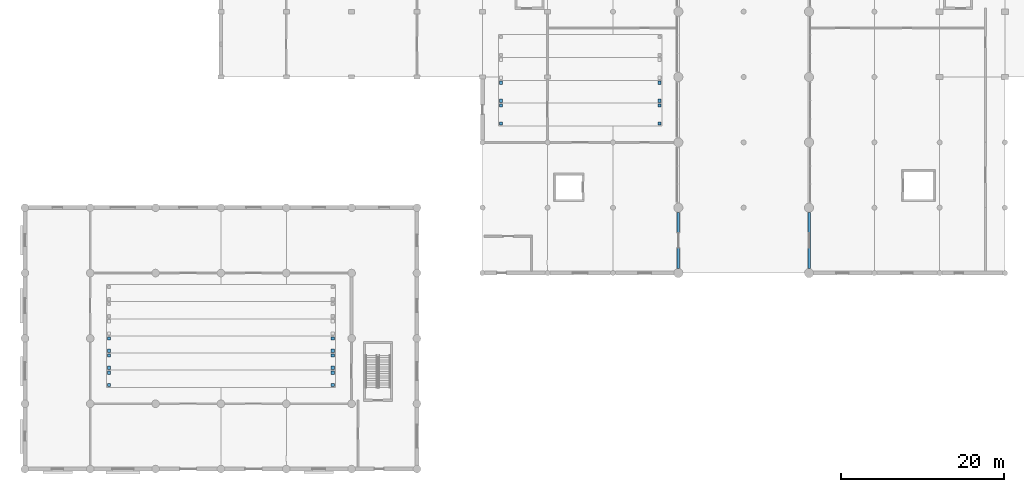
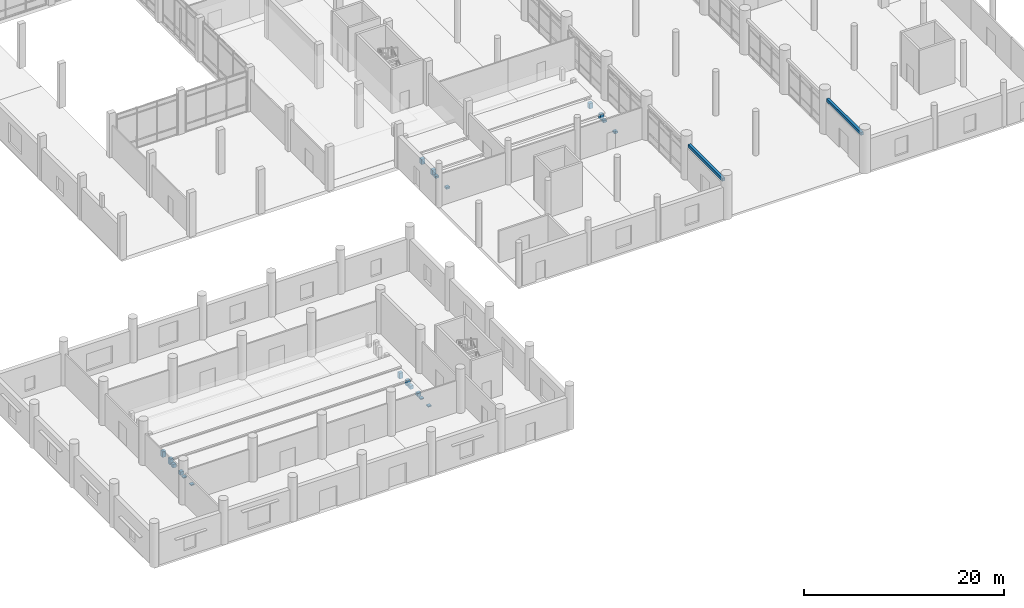
# One storey, part 4 of 42: 20 columns, 2 beams.
"""IFC4 building model written with IfcOpenShell, lengths in metres."""

from ifc_helpers import new_model, si_unit, direction, frame, origin, origin_2d, place, context, subcontext, project, spatial, rectangle, extrude, material, material_profile, profile_set, type_object, element, save


model = new_model("IFC4")

# Units and contexts
model_context = context("Model", 3, precision=1e-05, world=origin(), true_north=direction((0.0, 1.0)))
body_context = subcontext(model_context, "Body", "Model", "MODEL_VIEW")
ifc_project = project(units=[si_unit("LENGTHUNIT", "METRE"), si_unit("AREAUNIT", "SQUARE_METRE"), si_unit("VOLUMEUNIT", "CUBIC_METRE"), si_unit("PLANEANGLEUNIT", "RADIAN"), si_unit("MASSUNIT", "GRAM", prefix="KILO")], contexts=[model_context])

# Site, building, storey
site_placement = place(None, origin())
site = spatial("IfcSite", under=ifc_project, at=site_placement, CompositionType="ELEMENT")
building_placement = place(site_placement, origin())
building = spatial("IfcBuilding", under=site, at=building_placement, Name="Pecanmere Concourse Central Library", CompositionType="ELEMENT")
storey_placement = place(building_placement, origin())
storey = spatial("IfcBuildingStorey", under=building, at=storey_placement, Name="L01", CompositionType="ELEMENT", Elevation=0.0)

# Columns
ifc_material_1 = material(Name="Concrete C40/50", Category="concrete")
ifc_material_profile_1 = material_profile(ifc_material_1, rectangle(XDim=0.39990234375, YDim=0.39990234375, at=origin_2d()), Name="RC 400x400")
ifc_profile_set_1 = profile_set([ifc_material_profile_1], Name="Concrete C40/50")
column_type = type_object("IfcColumnType", Name="COL_RC_400x400", PredefinedType="COLUMN", material=ifc_profile_set_1)
for number, where, z_axis, x_axis, name in (
    (1, (10.300048828125, 10.300048828125, 0.0), (0.0, 0.0, 1.0), (1.0, 0.0, 0.0), "Auditorium Tier Support Pier 1-1"),
    (2, (37.699951171875, 10.300048828125, 0.0), (0.0, 0.0, 1.0), (1.0, 0.0, 0.0), "Auditorium Tier Support Pier 1-2"),
    (3, (37.699951171875, 11.800048828125, 0.0), (0.0, 0.0, 1.0), (1.0, 0.0, 0.0), "Auditorium Tier Support Pier 1-3"),
    (4, (10.300048828125, 11.800048828125, 0.0), (0.0, 0.0, 1.0), (1.0, 0.0, 0.0), "Auditorium Tier Support Pier 1-4"),
):
    element("IfcColumn", number, at=place(storey_placement, frame(where, z_axis=z_axis, x_axis=x_axis)), inside=storey, type_object=column_type, Name=name, PredefinedType="COLUMN", context=body_context, shape_type="SweptSolid", body=[
        extrude(rectangle(XDim=0.39990234375, YDim=0.39990234375, at=origin_2d()), origin(), (0.0, 0.0, 1.0), 0.1201171875),
    ])
for number, where, z_axis, x_axis, name in (
    (5, (10.300048828125, 12.39990234375, 0.0), (0.0, 0.0, 1.0), (1.0, 0.0, 0.0), "Auditorium Tier Support Pier 2-1"),
    (6, (37.699951171875, 12.39990234375, 0.0), (0.0, 0.0, 1.0), (1.0, 0.0, 0.0), "Auditorium Tier Support Pier 2-2"),
    (7, (37.699951171875, 13.89990234375, 0.0), (0.0, 0.0, 1.0), (1.0, 0.0, 0.0), "Auditorium Tier Support Pier 2-3"),
    (8, (10.300048828125, 13.89990234375, 0.0), (0.0, 0.0, 1.0), (1.0, 0.0, 0.0), "Auditorium Tier Support Pier 2-4"),
):
    element("IfcColumn", number, at=place(storey_placement, frame(where, z_axis=z_axis, x_axis=x_axis)), inside=storey, type_object=column_type, Name=name, PredefinedType="COLUMN", context=body_context, shape_type="SweptSolid", body=[
        extrude(rectangle(XDim=0.39990234375, YDim=0.39990234375, at=origin_2d()), origin(), (0.0, 0.0, 1.0), 0.409912109375),
    ])
for number, where, z_axis, x_axis, name in (
    (9, (10.300048828125, 14.5, 0.0), (0.0, 0.0, 1.0), (1.0, 0.0, 0.0), "Auditorium Tier Support Pier 3-1"),
    (10, (37.699951171875, 14.5, 0.0), (0.0, 0.0, 1.0), (1.0, 0.0, 0.0), "Auditorium Tier Support Pier 3-2"),
    (11, (37.699951171875, 16.0, 0.0), (0.0, 0.0, 1.0), (1.0, 0.0, 0.0), "Auditorium Tier Support Pier 3-3"),
    (12, (10.300048828125, 16.0, 0.0), (0.0, 0.0, 1.0), (1.0, 0.0, 0.0), "Auditorium Tier Support Pier 3-4"),
):
    element("IfcColumn", number, at=place(storey_placement, frame(where, z_axis=z_axis, x_axis=x_axis)), inside=storey, type_object=column_type, Name=name, PredefinedType="COLUMN", context=body_context, shape_type="SweptSolid", body=[
        extrude(rectangle(XDim=0.39990234375, YDim=0.39990234375, at=origin_2d()), origin(), (0.0, 0.0, 1.0), 0.699951171875),
    ])
for number, where, z_axis, x_axis, name in (
    (13, (58.300048828125, 42.300048828125, 0.0), (0.0, 0.0, 1.0), (1.0, 0.0, 0.0), "Lecture Tier Support Pier 1-1"),
    (14, (77.699951171875, 42.300048828125, 0.0), (0.0, 0.0, 1.0), (1.0, 0.0, 0.0), "Lecture Tier Support Pier 1-2"),
    (15, (77.699951171875, 44.5, 0.0), (0.0, 0.0, 1.0), (1.0, 0.0, 0.0), "Lecture Tier Support Pier 1-3"),
    (16, (58.300048828125, 44.5, 0.0), (0.0, 0.0, 1.0), (1.0, 0.0, 0.0), "Lecture Tier Support Pier 1-4"),
):
    element("IfcColumn", number, at=place(storey_placement, frame(where, z_axis=z_axis, x_axis=x_axis)), inside=storey, type_object=column_type, Name=name, PredefinedType="COLUMN", context=body_context, shape_type="SweptSolid", body=[
        extrude(rectangle(XDim=0.39990234375, YDim=0.39990234375, at=origin_2d()), origin(), (0.0, 0.0, 1.0), 0.2451171875),
    ])
for number, where, z_axis, x_axis, name in (
    (17, (58.300048828125, 45.10009765625, 0.0), (0.0, 0.0, 1.0), (1.0, 0.0, 0.0), "Lecture Tier Support Pier 2-1"),
    (18, (77.699951171875, 45.10009765625, 0.0), (0.0, 0.0, 1.0), (1.0, 0.0, 0.0), "Lecture Tier Support Pier 2-2"),
    (19, (77.699951171875, 47.300048828125, 0.0), (0.0, 0.0, 1.0), (1.0, 0.0, 0.0), "Lecture Tier Support Pier 2-3"),
    (20, (58.300048828125, 47.300048828125, 0.0), (0.0, 0.0, 1.0), (1.0, 0.0, 0.0), "Lecture Tier Support Pier 2-4"),
):
    element("IfcColumn", number, at=place(storey_placement, frame(where, z_axis=z_axis, x_axis=x_axis)), inside=storey, type_object=column_type, Name=name, PredefinedType="COLUMN", context=body_context, shape_type="SweptSolid", body=[
        extrude(rectangle(XDim=0.39990234375, YDim=0.39990234375, at=origin_2d()), origin(), (0.0, 0.0, 1.0), 0.64501953125),
    ])

# Beams
ifc_material_2 = material(Name="Precast concrete C40/50", Category="concrete")
ifc_material_profile_2 = material_profile(ifc_material_2, rectangle(XDim=0.300048828125, YDim=0.360107421875, at=origin_2d()), Name="RC 300x360")
ifc_profile_set_2 = profile_set([ifc_material_profile_2], Name="Precast concrete C40/50")
beam_type = type_object("IfcBeamType", Name="LNT_300x360", PredefinedType="LINTEL", material=ifc_profile_set_2)
for number, where, z_axis, x_axis, name in (
    (21, (80.0, 24.56005859375, 4.199951171875), (0.0, 1.0, 0.0), (-1.0, 0.0, 0.0), "Colonnade Architrave Lintel 1-80"),
    (22, (96.0, 24.56005859375, 4.199951171875), (0.0, 1.0, 0.0), (-1.0, 0.0, 0.0), "Colonnade Architrave Lintel 1-96"),
):
    element("IfcBeam", number, at=place(storey_placement, frame(where, z_axis=z_axis, x_axis=x_axis)), inside=storey, type_object=beam_type, Name=name, PredefinedType="LINTEL", context=body_context, shape_type="SweptSolid", body=[
        extrude(rectangle(XDim=0.300048828125, YDim=0.360107421875, at=origin_2d()), origin(), (0.0, 0.0, 1.0), 6.8798828125),
    ])

save(model, "model.ifc")
